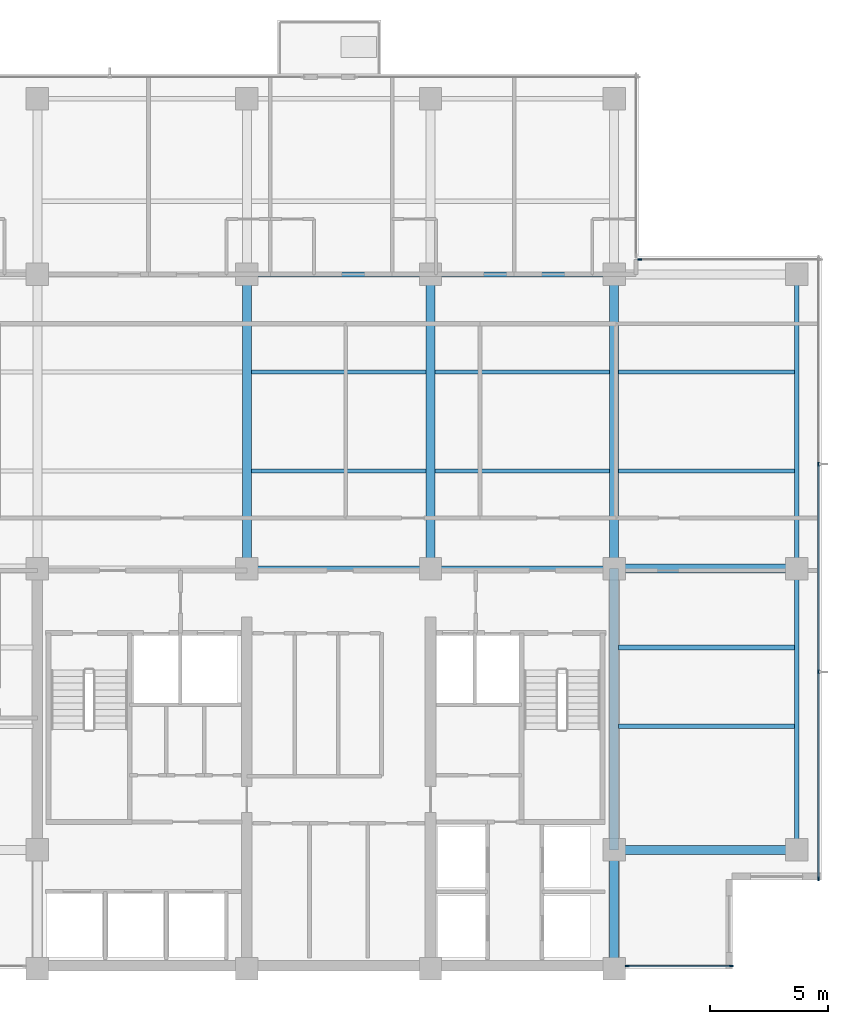
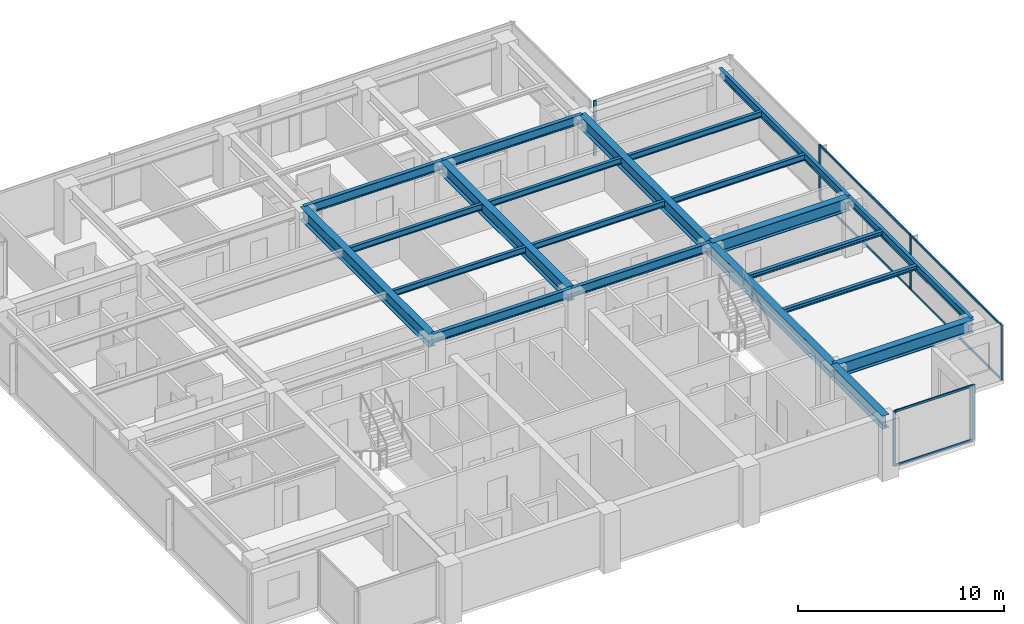
# One storey, part 3 of 15: 21 beams, 12 members, 3 elements without a shape of their own.
"""IFC4 building model written with IfcOpenShell, lengths in metres."""

from ifc_helpers import new_model, si_unit, direction, frame, origin, origin_2d, place, context, subcontext, project, spatial, rectangle, i_section, extrude, material, layer, layer_set, material_profile, profile_set, type_object, element, aggregate, save


model = new_model("IFC4")

# Units and contexts
model_context = context("Model", 3, precision=1e-05, world=origin(), true_north=direction((0.0, 1.0)))
body_context = subcontext(model_context, "Body", "Model", "MODEL_VIEW")
ifc_project = project(units=[si_unit("LENGTHUNIT", "METRE"), si_unit("AREAUNIT", "SQUARE_METRE"), si_unit("VOLUMEUNIT", "CUBIC_METRE"), si_unit("PLANEANGLEUNIT", "RADIAN"), si_unit("MASSUNIT", "GRAM", prefix="KILO")], contexts=[model_context])

# Site, building, storey
site_placement = place(None, origin())
site = spatial("IfcSite", under=ifc_project, at=site_placement, CompositionType="ELEMENT")
building_placement = place(site_placement, origin())
building = spatial("IfcBuilding", under=site, at=building_placement, Name="Qalmaran Belvedere Hotel", CompositionType="ELEMENT")
storey_placement = place(building_placement, frame((0.0, 0.0, 196.89990234375)))
storey = spatial("IfcBuildingStorey", under=building, at=storey_placement, Name="L49", CompositionType="ELEMENT", Elevation=196.89990234375)

# Beams
ifc_material_1 = material(Name="Steel S355JR", Category="steel")
ifc_material_profile_1 = material_profile(ifc_material_1, i_section(OverallWidth=0.201904296875, OverallDepth=0.2470703125, WebThickness=0.00732421875, FlangeThickness=0.010986328125, FilletRadius=0.011962890625, at=origin_2d()), Name="W250X49")
ifc_profile_set_1 = profile_set([ifc_material_profile_1], Name="Steel S355JR")
beam_type_1 = type_object("IfcBeamType", Name="BM-JST-W250X49", PredefinedType="JOIST", material=ifc_profile_set_1)
for number, where, z_axis, x_axis, name in (
    (1, (44.988525390625, 13.800048828125, 3.13671875), (1.0, 0.0, 0.0), (0.0, 1.0, 0.0), "L49 East Wing Joist 039"),
    (2, (44.988525390625, 17.14990234375, 3.13671875), (1.0, 0.0, 0.0), (0.0, 1.0, 0.0), "L49 East Wing Joist 041"),
):
    element("IfcBeam", number, at=place(storey_placement, frame(where, z_axis=z_axis, x_axis=x_axis)), inside=storey, type_object=beam_type_1, Name=name, PredefinedType="JOIST", context=body_context, shape_type="SweptSolid", body=[
        extrude(i_section(OverallWidth=0.201904296875, OverallDepth=0.2470703125, WebThickness=0.00732421875, FlangeThickness=0.010986328125, FilletRadius=0.011962890625, at=origin_2d()), origin(), (0.0, 0.0, 1.0), 7.467529296875),
    ])
ifc_material_profile_2 = material_profile(ifc_material_1, i_section(OverallWidth=0.381103515625, OverallDepth=0.77294921875, WebThickness=0.0166015625, FlangeThickness=0.027099609375, FilletRadius=0.02197265625, at=origin_2d()), Name="W760X257")
ifc_profile_set_2 = profile_set([ifc_material_profile_2], Name="Steel S355JR")
beam_type_2 = type_object("IfcBeamType", Name="BM-PG4-W760X257", PredefinedType="USERDEFINED", material=ifc_profile_set_2)
for number, where, z_axis, x_axis, name in (
    (3, (29.199951171875, 20.5, 2.87353515625), (0.0, 1.0, 0.0), (-1.0, 0.0, 0.0), "L49 Mid-Plate N-S Girder 16"),
    (4, (37.0, 20.5, 2.87353515625), (0.0, 1.0, 0.0), (-1.0, 0.0, 0.0), "L49 Mid-Plate N-S Girder 18"),
    (5, (44.800048828125, 20.5, 2.87353515625), (0.0, 1.0, 0.0), (-1.0, 0.0, 0.0), "L49 Mid-Plate N-S Girder 20"),
):
    element("IfcBeam", number, at=place(storey_placement, frame(where, z_axis=z_axis, x_axis=x_axis)), inside=storey, type_object=beam_type_2, Name=name, ObjectType="GIRDER", PredefinedType="USERDEFINED", context=body_context, shape_type="SweptSolid", body=[
        extrude(i_section(OverallWidth=0.381103515625, OverallDepth=0.77294921875, WebThickness=0.0166015625, FlangeThickness=0.027099609375, FilletRadius=0.02197265625, at=origin_2d()), origin(), (0.0, 0.0, 1.0), 12.5),
    ])
beam_1_placement = place(storey_placement, frame((44.800048828125, 3.5, 2.87353515625), z_axis=(0.0, 1.0, 0.0), x_axis=(-1.0, 0.0, 0.0)))
element("IfcBeam", 6, at=beam_1_placement, inside=storey, type_object=beam_type_2, Name="L49 East Core Edge Girder A", ObjectType="GIRDER", PredefinedType="USERDEFINED", context=body_context, shape_type="SweptSolid", body=[
    extrude(i_section(OverallWidth=0.381103515625, OverallDepth=0.77294921875, WebThickness=0.0166015625, FlangeThickness=0.027099609375, FilletRadius=0.02197265625, at=origin_2d()), origin(), (0.0, 0.0, 1.0), 5.050048828125),
])
beam_2_placement = place(storey_placement, frame((44.800048828125, 8.550048828125, 2.87353515625), z_axis=(0.0, 1.0, 0.0), x_axis=(-1.0, 0.0, 0.0)))
element("IfcBeam", 7, at=beam_2_placement, inside=storey, type_object=beam_type_2, Name="L49 East Core Edge Girder B", ObjectType="GIRDER", PredefinedType="USERDEFINED", context=body_context, shape_type="SweptSolid", body=[
    extrude(i_section(OverallWidth=0.381103515625, OverallDepth=0.77294921875, WebThickness=0.0166015625, FlangeThickness=0.027099609375, FilletRadius=0.02197265625, at=origin_2d()), origin(), (0.0, 0.0, 1.0), 11.949951171875),
])
for number, where, z_axis, x_axis, name in (
    (8, (44.800048828125, 8.550048828125, 2.87353515625), (1.0, 0.0, 0.0), (0.0, 1.0, 0.0), "L49 East Wing Girder 25"),
    (9, (44.800048828125, 20.5, 2.87353515625), (1.0, 0.0, 0.0), (0.0, 1.0, 0.0), "L49 East Wing Girder 26"),
):
    element("IfcBeam", number, at=place(storey_placement, frame(where, z_axis=z_axis, x_axis=x_axis)), inside=storey, type_object=beam_type_2, Name=name, ObjectType="GIRDER", PredefinedType="USERDEFINED", context=body_context, shape_type="SweptSolid", body=[
        extrude(i_section(OverallWidth=0.381103515625, OverallDepth=0.77294921875, WebThickness=0.0166015625, FlangeThickness=0.027099609375, FilletRadius=0.02197265625, at=origin_2d()), origin(), (0.0, 0.0, 1.0), 7.75),
    ])
ifc_material_profile_3 = material_profile(ifc_material_1, i_section(OverallWidth=0.172119140625, OverallDepth=0.35791015625, WebThickness=0.0078125, FlangeThickness=0.01318359375, FilletRadius=0.014892578125, at=origin_2d()), Name="W360X57")
ifc_profile_set_3 = profile_set([ifc_material_profile_3], Name="Steel S355JR")
beam_type_3 = type_object("IfcBeamType", Name="BM-SB4-W360X57", PredefinedType="BEAM", material=ifc_profile_set_3)
for number, where, z_axis, x_axis, name in (
    (10, (29.388427734375, 24.64990234375, 3.0810546875), (1.0, 0.0, 0.0), (0.0, 1.0, 0.0), "L49 Secondary Floor Beam 030"),
    (11, (37.1884765625, 24.64990234375, 3.0810546875), (1.0, 0.0, 0.0), (0.0, 1.0, 0.0), "L49 Secondary Floor Beam 031"),
):
    element("IfcBeam", number, at=place(storey_placement, frame(where, z_axis=z_axis, x_axis=x_axis)), inside=storey, type_object=beam_type_3, Name=name, PredefinedType="BEAM", context=body_context, shape_type="SweptSolid", body=[
        extrude(i_section(OverallWidth=0.172119140625, OverallDepth=0.35791015625, WebThickness=0.0078125, FlangeThickness=0.01318359375, FilletRadius=0.014892578125, at=origin_2d()), origin(), (0.0, 0.0, 1.0), 7.423095703125),
    ])
beam_3_placement = place(storey_placement, frame((44.988525390625, 24.64990234375, 3.0810546875), z_axis=(1.0, 0.0, 0.0), x_axis=(0.0, 1.0, 0.0)))
element("IfcBeam", 12, at=beam_3_placement, inside=storey, type_object=beam_type_3, Name="L49 East Secondary Beam 032", PredefinedType="BEAM", context=body_context, shape_type="SweptSolid", body=[
    extrude(i_section(OverallWidth=0.172119140625, OverallDepth=0.35791015625, WebThickness=0.0078125, FlangeThickness=0.01318359375, FilletRadius=0.014892578125, at=origin_2d()), origin(), (0.0, 0.0, 1.0), 7.467529296875),
])
for number, where, z_axis, x_axis, name in (
    (13, (29.388427734375, 28.85009765625, 3.0810546875), (1.0, 0.0, 0.0), (0.0, 1.0, 0.0), "L49 Secondary Floor Beam 035"),
    (14, (37.1884765625, 28.85009765625, 3.0810546875), (1.0, 0.0, 0.0), (0.0, 1.0, 0.0), "L49 Secondary Floor Beam 036"),
):
    element("IfcBeam", number, at=place(storey_placement, frame(where, z_axis=z_axis, x_axis=x_axis)), inside=storey, type_object=beam_type_3, Name=name, PredefinedType="BEAM", context=body_context, shape_type="SweptSolid", body=[
        extrude(i_section(OverallWidth=0.172119140625, OverallDepth=0.35791015625, WebThickness=0.0078125, FlangeThickness=0.01318359375, FilletRadius=0.014892578125, at=origin_2d()), origin(), (0.0, 0.0, 1.0), 7.423095703125),
    ])
beam_4_placement = place(storey_placement, frame((44.988525390625, 28.85009765625, 3.0810546875), z_axis=(1.0, 0.0, 0.0), x_axis=(0.0, 1.0, 0.0)))
element("IfcBeam", 15, at=beam_4_placement, inside=storey, type_object=beam_type_3, Name="L49 East Secondary Beam 037", PredefinedType="BEAM", context=body_context, shape_type="SweptSolid", body=[
    extrude(i_section(OverallWidth=0.172119140625, OverallDepth=0.35791015625, WebThickness=0.0078125, FlangeThickness=0.01318359375, FilletRadius=0.014892578125, at=origin_2d()), origin(), (0.0, 0.0, 1.0), 7.467529296875),
])
ifc_material_profile_4 = material_profile(ifc_material_1, i_section(OverallWidth=0.19189453125, OverallDepth=0.462890625, WebThickness=0.010498046875, FlangeThickness=0.017578125, FilletRadius=0.01611328125, at=origin_2d()), Name="W460X89")
ifc_profile_set_4 = profile_set([ifc_material_profile_4], Name="Steel S355JR")
beam_type_4 = type_object("IfcBeamType", Name="BM-SP2-W460X89", PredefinedType="SPANDREL", material=ifc_profile_set_4)
beam_5_placement = place(storey_placement, frame((52.550048828125, 8.550048828125, 3.028564453125), z_axis=(0.0, 1.0, 0.0), x_axis=(-1.0, 0.0, 0.0)))
element("IfcBeam", 16, at=beam_5_placement, inside=storey, type_object=beam_type_4, Name="L49 Perimeter Spandrel 03", PredefinedType="SPANDREL", context=body_context, shape_type="SweptSolid", body=[
    extrude(i_section(OverallWidth=0.19189453125, OverallDepth=0.462890625, WebThickness=0.010498046875, FlangeThickness=0.017578125, FilletRadius=0.01611328125, at=origin_2d()), origin(), (0.0, 0.0, 1.0), 11.949951171875),
])
beam_6_placement = place(storey_placement, frame((52.550048828125, 20.5, 3.028564453125), z_axis=(0.0, 1.0, 0.0), x_axis=(-1.0, 0.0, 0.0)))
element("IfcBeam", 17, at=beam_6_placement, inside=storey, type_object=beam_type_4, Name="L49 Perimeter Spandrel 04", PredefinedType="SPANDREL", context=body_context, shape_type="SweptSolid", body=[
    extrude(i_section(OverallWidth=0.19189453125, OverallDepth=0.462890625, WebThickness=0.010498046875, FlangeThickness=0.017578125, FilletRadius=0.01611328125, at=origin_2d()), origin(), (0.0, 0.0, 1.0), 12.5),
])
ifc_material_profile_5 = material_profile(ifc_material_1, i_section(OverallWidth=0.2109375, OverallDepth=0.5390625, WebThickness=0.01171875, FlangeThickness=0.018798828125, FilletRadius=0.01806640625, at=origin_2d()), Name="W530X109")
ifc_profile_set_5 = profile_set([ifc_material_profile_5], Name="Steel S355JR")
beam_type_5 = type_object("IfcBeamType", Name="BM-Z4-W530X109", PredefinedType="USERDEFINED", material=ifc_profile_set_5)
for number, where, z_axis, x_axis, name in (
    (18, (29.199951171875, 20.5, 2.990478515625), (1.0, 0.0, 0.0), (0.0, 1.0, 0.0), "L49 Interior E-W Girder 09"),
    (19, (37.0, 20.5, 2.990478515625), (1.0, 0.0, 0.0), (0.0, 1.0, 0.0), "L49 Interior E-W Girder 10"),
    (20, (29.199951171875, 33.0, 2.990478515625), (1.0, 0.0, 0.0), (0.0, 1.0, 0.0), "L49 Interior E-W Girder 12"),
    (21, (37.0, 33.0, 2.990478515625), (1.0, 0.0, 0.0), (0.0, 1.0, 0.0), "L49 Interior E-W Girder 13"),
):
    element("IfcBeam", number, at=place(storey_placement, frame(where, z_axis=z_axis, x_axis=x_axis)), inside=storey, type_object=beam_type_5, Name=name, ObjectType="GIRDER", PredefinedType="USERDEFINED", context=body_context, shape_type="SweptSolid", body=[
        extrude(i_section(OverallWidth=0.2109375, OverallDepth=0.5390625, WebThickness=0.01171875, FlangeThickness=0.018798828125, FilletRadius=0.01806640625, at=origin_2d()), origin(), (0.0, 0.0, 1.0), 7.800048828125),
    ])

# Curtain wall, members
ifc_material_2 = material(Name="Anodised Bronze Aluminium", Category="aluminium")
ifc_layer = layer(ifc_material_2, 0.18994140625, Name="Anodised Bronze Aluminium")
ifc_layer_set = layer_set([ifc_layer], Name="Anodised Bronze Aluminium")
curtain_wall_type = type_object("IfcCurtainWallType", Name="CW5-TOWER-UPPER", PredefinedType="NOTDEFINED", material=ifc_layer_set)
curtain_wall_1_placement = place(storey_placement, origin())
curtain_wall_1 = element("IfcCurtainWall", 22, at=curtain_wall_1_placement, inside=storey, type_object=curtain_wall_type, Name="L49 Curtain Wall CW5", PredefinedType="NOTDEFINED")
ifc_material_profile_6 = material_profile(ifc_material_2, rectangle(XDim=0.06494140625, YDim=0.1650390625, at=origin_2d()), Name="CWM65X165")
ifc_profile_set_6 = profile_set([ifc_material_profile_6], Name="Anodised Bronze Aluminium")
member_type_1 = type_object("IfcMemberType", Name="CWM-65X165", PredefinedType="MULLION", material=ifc_profile_set_6)
member_1_placement = place(storey_placement, frame((45.347412109375, 3.6201171875, 0.0), z_axis=(0.0, 0.0, 1.0), x_axis=(0.0, 1.0, 0.0)))
member_1 = element("IfcMember", 23, at=member_1_placement, type_object=member_type_1, Name="CW5 mullion 1", PredefinedType="MULLION", context=body_context, shape_type="SweptSolid", body=[
    extrude(rectangle(XDim=0.06494140625, YDim=0.1650390625, at=origin_2d()), origin(), (0.0, 0.0, 1.0), 3.260009765625),
])
member_2_placement = place(storey_placement, frame((49.767578125, 3.6201171875, 0.0), z_axis=(0.0, 0.0, 1.0), x_axis=(0.0, 1.0, 0.0)))
member_2 = element("IfcMember", 24, at=member_2_placement, type_object=member_type_1, Name="CW5 mullion 2", PredefinedType="MULLION", context=body_context, shape_type="SweptSolid", body=[
    extrude(rectangle(XDim=0.06494140625, YDim=0.1650390625, at=origin_2d()), origin(), (0.0, 0.0, 1.0), 3.260009765625),
])

curtain_wall_2_placement = place(storey_placement, origin())
curtain_wall_2 = element("IfcCurtainWall", 25, at=curtain_wall_2_placement, inside=storey, type_object=curtain_wall_type, Name="L49 Curtain Wall CW5", PredefinedType="NOTDEFINED")
member_3_placement = place(storey_placement, frame((53.47998046875, 7.33251953125, 0.0), z_axis=(0.0, 0.0, 1.0), x_axis=(-1.0, 0.0, 0.0)))
member_3 = element("IfcMember", 26, at=member_3_placement, type_object=member_type_1, Name="CW5 mullion 1", PredefinedType="MULLION", context=body_context, shape_type="SweptSolid", body=[
    extrude(rectangle(XDim=0.06494140625, YDim=0.1650390625, at=origin_2d()), origin(), (0.0, 0.0, 1.0), 3.260009765625),
])
member_4_placement = place(storey_placement, frame((53.47998046875, 16.11669921875, 0.0), z_axis=(0.0, 0.0, 1.0), x_axis=(-1.0, 0.0, 0.0)))
member_4 = element("IfcMember", 27, at=member_4_placement, type_object=member_type_1, Name="CW5 mullion 2", PredefinedType="MULLION", context=body_context, shape_type="SweptSolid", body=[
    extrude(rectangle(XDim=0.06494140625, YDim=0.1650390625, at=origin_2d()), origin(), (0.0, 0.0, 1.0), 3.260009765625),
])
member_5_placement = place(storey_placement, frame((53.47998046875, 24.933349609375, 0.0), z_axis=(0.0, 0.0, 1.0), x_axis=(-1.0, 0.0, 0.0)))
member_5 = element("IfcMember", 28, at=member_5_placement, type_object=member_type_1, Name="CW5 mullion 3", PredefinedType="MULLION", context=body_context, shape_type="SweptSolid", body=[
    extrude(rectangle(XDim=0.06494140625, YDim=0.1650390625, at=origin_2d()), origin(), (0.0, 0.0, 1.0), 3.260009765625),
])

# Curtain wall, member
curtain_wall_3_placement = place(storey_placement, origin())
curtain_wall_3 = element("IfcCurtainWall", 29, at=curtain_wall_3_placement, inside=storey, type_object=curtain_wall_type, Name="L49 Curtain Wall CW5", PredefinedType="NOTDEFINED")
member_6_placement = place(storey_placement, frame((45.882568359375, 33.6298828125, 0.0), z_axis=(0.0, 0.0, 1.0), x_axis=(0.0, -1.0, 0.0)))
member_6 = element("IfcMember", 30, at=member_6_placement, type_object=member_type_1, Name="CW5 mullion 2", PredefinedType="MULLION", context=body_context, shape_type="SweptSolid", body=[
    extrude(rectangle(XDim=0.06494140625, YDim=0.1650390625, at=origin_2d()), origin(), (0.0, 0.0, 1.0), 3.260009765625),
])
aggregate(curtain_wall_3, [member_6])

# Member
ifc_material_profile_7 = material_profile(ifc_material_2, rectangle(XDim=0.06494140625, YDim=0.1298828125, at=origin_2d()), Name="CWT65X130")
ifc_profile_set_7 = profile_set([ifc_material_profile_7], Name="Anodised Bronze Aluminium")
member_type_2 = type_object("IfcMemberType", Name="CWT-65X130", PredefinedType="USERDEFINED", material=ifc_profile_set_7)
member_7_placement = place(storey_placement, frame((45.3798828125, 3.6201171875, 0.03271484375), z_axis=(1.0, 0.0, 0.0), x_axis=(0.0, 1.0, 0.0)))
member_7 = element("IfcMember", 31, at=member_7_placement, type_object=member_type_2, Name="CW5 transom 1.1", ObjectType="TRANSOM", PredefinedType="USERDEFINED", context=body_context, shape_type="SweptSolid", body=[
    extrude(rectangle(XDim=0.06494140625, YDim=0.1298828125, at=origin_2d()), origin(), (0.0, 0.0, 1.0), 4.355224609375),
])

member_8_placement = place(storey_placement, frame((45.3798828125, 3.6201171875, 3.2275390625), z_axis=(1.0, 0.0, 0.0), x_axis=(0.0, 1.0, 0.0)))
member_8 = element("IfcMember", 32, at=member_8_placement, type_object=member_type_2, Name="CW5 transom 1.2", ObjectType="TRANSOM", PredefinedType="USERDEFINED", context=body_context, shape_type="SweptSolid", body=[
    extrude(rectangle(XDim=0.06494140625, YDim=0.1298828125, at=origin_2d()), origin(), (0.0, 0.0, 1.0), 4.355224609375),
])

aggregate(curtain_wall_1, [member_1, member_2, member_7, member_8])

member_9_placement = place(storey_placement, frame((53.47998046875, 7.364990234375, 0.03271484375), z_axis=(0.0, 1.0, 0.0), x_axis=(-1.0, 0.0, 0.0)))
member_9 = element("IfcMember", 33, at=member_9_placement, type_object=member_type_2, Name="CW5 transom 1.1", ObjectType="TRANSOM", PredefinedType="USERDEFINED", context=body_context, shape_type="SweptSolid", body=[
    extrude(rectangle(XDim=0.06494140625, YDim=0.1298828125, at=origin_2d()), origin(), (0.0, 0.0, 1.0), 8.71923828125),
])

member_10_placement = place(storey_placement, frame((53.47998046875, 7.364990234375, 3.2275390625), z_axis=(0.0, 1.0, 0.0), x_axis=(-1.0, 0.0, 0.0)))
member_10 = element("IfcMember", 34, at=member_10_placement, type_object=member_type_2, Name="CW5 transom 1.2", ObjectType="TRANSOM", PredefinedType="USERDEFINED", context=body_context, shape_type="SweptSolid", body=[
    extrude(rectangle(XDim=0.06494140625, YDim=0.1298828125, at=origin_2d()), origin(), (0.0, 0.0, 1.0), 8.71923828125),
])

member_11_placement = place(storey_placement, frame((53.47998046875, 16.149169921875, 0.03271484375), z_axis=(0.0, 1.0, 0.0), x_axis=(-1.0, 0.0, 0.0)))
member_11 = element("IfcMember", 35, at=member_11_placement, type_object=member_type_2, Name="CW5 transom 2.1", ObjectType="TRANSOM", PredefinedType="USERDEFINED", context=body_context, shape_type="SweptSolid", body=[
    extrude(rectangle(XDim=0.06494140625, YDim=0.1298828125, at=origin_2d()), origin(), (0.0, 0.0, 1.0), 8.751708984375),
])

member_12_placement = place(storey_placement, frame((53.47998046875, 16.149169921875, 3.2275390625), z_axis=(0.0, 1.0, 0.0), x_axis=(-1.0, 0.0, 0.0)))
member_12 = element("IfcMember", 36, at=member_12_placement, type_object=member_type_2, Name="CW5 transom 2.2", ObjectType="TRANSOM", PredefinedType="USERDEFINED", context=body_context, shape_type="SweptSolid", body=[
    extrude(rectangle(XDim=0.06494140625, YDim=0.1298828125, at=origin_2d()), origin(), (0.0, 0.0, 1.0), 8.751708984375),
])

aggregate(curtain_wall_2, [member_3, member_4, member_5, member_9, member_10, member_11, member_12])

save(model, "model.ifc")
